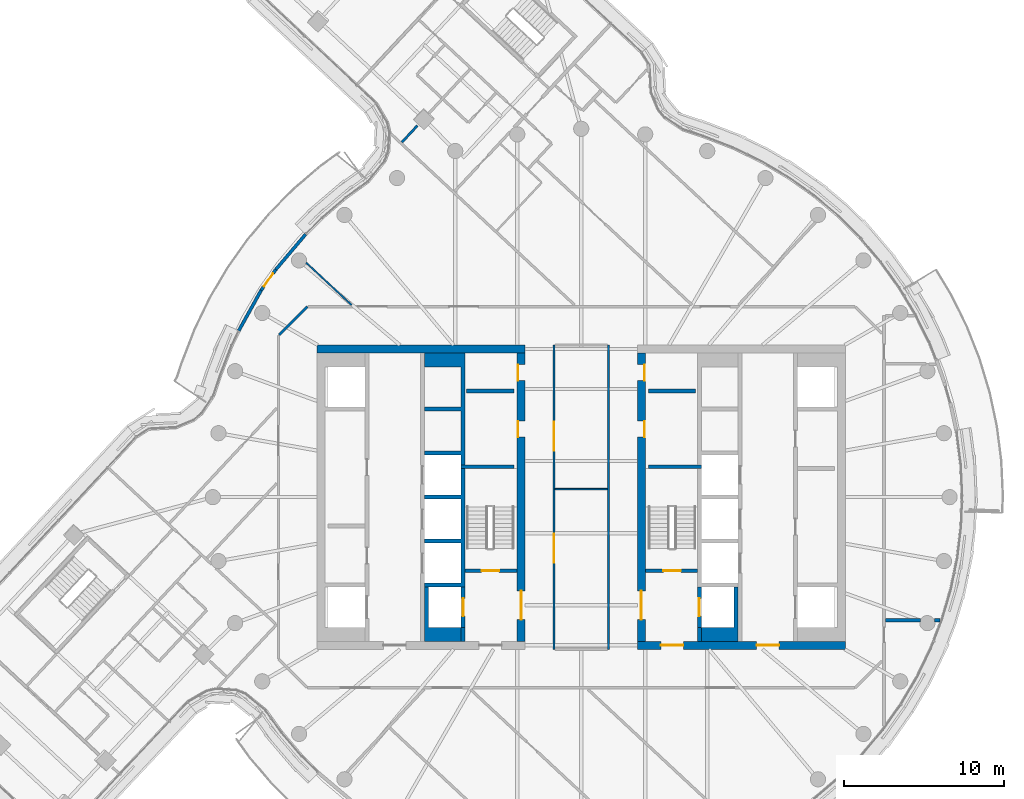
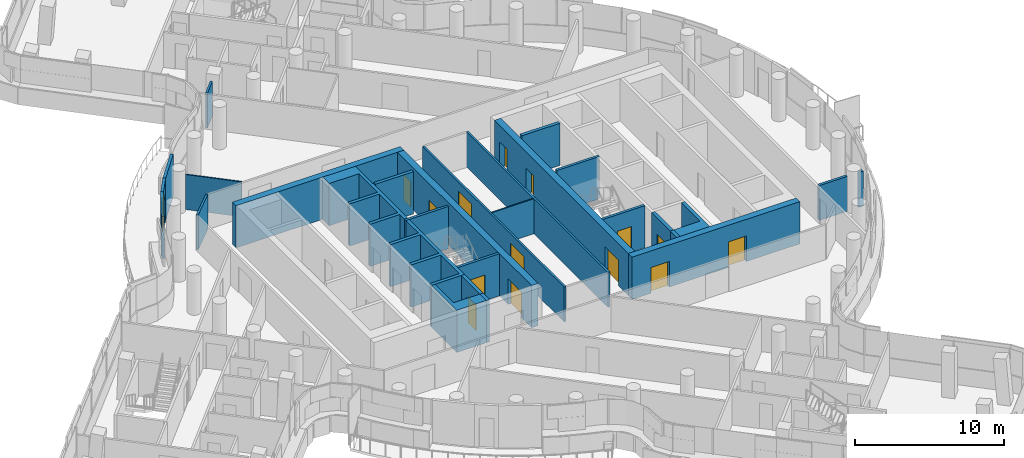
# One storey, part 19 of 30: 28 walls, 15 doors, 15 openings.
"""IFC4 building model written with IfcOpenShell, lengths in metres."""

from ifc_helpers import new_model, si_unit, direction, frame, frame_2d, origin, place, context, subcontext, project, spatial, polyline, rectangle, outline, extrude, material, layer, layer_set, type_object, element, fill, save


model = new_model("IFC4")

# Units and contexts
model_context = context("Model", 3, precision=1e-05, world=origin(), true_north=direction((0.0, 1.0)))
body_context = subcontext(model_context, "Body", "Model", "MODEL_VIEW")
ifc_project = project(units=[si_unit("LENGTHUNIT", "METRE"), si_unit("AREAUNIT", "SQUARE_METRE"), si_unit("VOLUMEUNIT", "CUBIC_METRE"), si_unit("PLANEANGLEUNIT", "RADIAN"), si_unit("MASSUNIT", "GRAM", prefix="KILO")], contexts=[model_context])

# Site, building, storey
site_placement = place(None, origin())
site = spatial("IfcSite", under=ifc_project, at=site_placement, CompositionType="ELEMENT")
building_placement = place(site_placement, origin())
building = spatial("IfcBuilding", under=site, at=building_placement, Name="Tamarind Cross Interchange Tower", CompositionType="ELEMENT")
storey_placement = place(building_placement, frame((0.0, 0.0, 204.10009765625)))
storey = spatial("IfcBuildingStorey", under=building, at=storey_placement, Name="L51", CompositionType="ELEMENT", Elevation=204.10009765625)

# Walls
ifc_material_1 = material(Name="Concrete C40", Category="concrete")
ifc_layer_1 = layer(ifc_material_1, 0.199951171875)
ifc_layer_set_1 = layer_set([ifc_layer_1], Name="Concrete C40")
wall_type_1 = type_object("IfcWallType", Name="Balcony and garden door wall", PredefinedType="SOLIDWALL", material=ifc_layer_set_1)
wall_1_placement = place(storey_placement, frame((-17.20361328125, 16.4169921875, 0.0), z_axis=(0.0, 0.0, 1.0), x_axis=(-0.645983966585, -0.763350977543, 0.0)))
element("IfcWall", 1, at=wall_1_placement, inside=storey, type_object=wall_type_1, Name="EXW-L51-10-D02L", PredefinedType="SOLIDWALL", context=body_context, shape_type="SweptSolid", body=[
    extrude(rectangle(XDim=2.88525390625, YDim=0.199951171875, at=frame_2d((1.442626953125, 0.0))), origin(), (0.0, 0.0, 1.0), 3.4599609375),
])
wall_2_placement = place(storey_placement, frame((-19.98974609375, 12.9072265625, 0.0), z_axis=(0.0, 0.0, 1.0), x_axis=(-0.484673094774, -0.874695370516, 0.0)))
element("IfcWall", 2, at=wall_2_placement, inside=storey, type_object=wall_type_1, Name="EXW-L51-10-D02R", PredefinedType="SOLIDWALL", context=body_context, shape_type="SweptSolid", body=[
    extrude(rectangle(XDim=2.88623046875, YDim=0.199951171875, at=frame_2d((1.443115234375, 0.0))), origin(), (0.0, 0.0, 1.0), 3.4599609375),
])

# Wall, opening, door
wall_3_placement = place(storey_placement, frame((-19.0673828125, 14.214599609375, 0.0), z_axis=(0.0, 0.0, 1.0), x_axis=(-0.57647949336, -0.817111616449, 0.0)))
wall_3 = element("IfcWall", 3, at=wall_3_placement, inside=storey, type_object=wall_type_1, Name="EXW-L51-10-D02", PredefinedType="SOLIDWALL", context=body_context, shape_type="SweptSolid", body=[
    extrude(rectangle(XDim=1.60009765625, YDim=0.199951171875, at=frame_2d((0.800048828125, 0.0))), origin(), (0.0, 0.0, 1.0), 3.4599609375),
])
opening_1_placement = place(wall_3_placement, frame((0.300048828125, 0.0, 0.0)))
opening_1 = element("IfcOpeningElement", 4, at=opening_1_placement, cuts=wall_3, Name="Opening D2", PredefinedType="OPENING", context=body_context, shape_type="SweptSolid", body=[
    extrude(rectangle(XDim=1.0, YDim=2.39990234375, at=frame_2d((0.5, 1.199951171875))), frame((0.0, 0.10986328125, 0.0), z_axis=(0.0, -1.0, 0.0), x_axis=(1.0, 0.0, 0.0)), (0.0, 0.0, 1.0), 0.219970703125),
])
ifc_material_2 = material(Name="Aluminium and toughened glass", Category="aluminium")
door_type_1 = type_object("IfcDoorType", Name="Balcony and garden door", OperationType="SINGLE_SWING_LEFT", PredefinedType="DOOR", material=ifc_material_2)
door_1_placement = place(opening_1_placement, origin())
door_1 = element("IfcDoor", 5, at=door_1_placement, inside=storey, type_object=door_type_1, Name="DOR-L51-10-02", OperationType="SINGLE_SWING_LEFT", OverallHeight=2.39990234375, OverallWidth=1.0, PredefinedType="DOOR", context=body_context, shape_type="SweptSolid", body=[
    extrude(rectangle(XDim=1.0, YDim=2.39990234375, at=frame_2d((0.5, 1.199951171875))), frame((0.0, 0.02490234375, 0.0), z_axis=(0.0, -1.0, 0.0), x_axis=(1.0, 0.0, 0.0)), (0.0, 0.0, 1.0), 0.050048828125),
])
fill(opening_1, door_1)

# Wall
ifc_material_3 = material(Name="Concrete C55", Category="concrete")
ifc_layer_2 = layer(ifc_material_3, 0.5)
ifc_layer_set_2 = layer_set([ifc_layer_2], Name="Concrete C55")
wall_type_2 = type_object("IfcWallType", Name="Core wall 500 mm Concrete C55", PredefinedType="SHEAR", material=ifc_layer_set_2)
wall_4_placement = place(storey_placement, frame((-16.5, 9.25, 0.0), z_axis=(0.0, 0.0, 1.0), x_axis=(1.0, 0.0, 0.0)))
element("IfcWall", 6, at=wall_4_placement, inside=storey, type_object=wall_type_2, Name="Core wall CWL-L51-W-NE", PredefinedType="SHEAR", context=body_context, shape_type="SweptSolid", body=[
    extrude(rectangle(XDim=13.0, YDim=0.5, at=frame_2d((6.5, 0.0))), origin(), (0.0, 0.0, 1.0), 3.4599609375),
])

# Wall, openings, doors
wall_5_placement = place(storey_placement, frame((-3.75, -9.0, 0.0), z_axis=(0.0, 0.0, 1.0), x_axis=(0.0, 1.0, 0.0)))
wall_5 = element("IfcWall", 7, at=wall_5_placement, inside=storey, type_object=wall_type_2, Name="Core wall CWL-L51-W-IN", PredefinedType="SHEAR", context=body_context, shape_type="SweptSolid", body=[
    extrude(rectangle(XDim=18.0, YDim=0.5, at=frame_2d((9.0, 0.0))), origin(), (0.0, 0.0, 1.0), 3.4599609375),
])
opening_2_placement = place(wall_5_placement, frame((1.35009765625, 0.0, 0.0)))
opening_2 = element("IfcOpeningElement", 8, at=opening_2_placement, cuts=wall_5, Name="Opening DCW4", PredefinedType="OPENING", context=body_context, shape_type="SweptSolid", body=[
    extrude(rectangle(XDim=1.800048828125, YDim=2.10009765625, at=frame_2d((0.89990234375, 1.050048828125))), frame((0.0, 0.260009765625, 0.0), z_axis=(0.0, -1.0, 0.0), x_axis=(1.0, 0.0, 0.0)), (0.0, 0.0, 1.0), 0.52001953125),
])
opening_3_placement = place(wall_5_placement, frame((12.74951171875, 0.0, 0.0)))
opening_3 = element("IfcOpeningElement", 9, at=opening_3_placement, cuts=wall_5, Name="Opening DCW5", PredefinedType="OPENING", context=body_context, shape_type="SweptSolid", body=[
    extrude(rectangle(XDim=1.0, YDim=2.10009765625, at=frame_2d((0.5, 1.050048828125))), frame((0.0, 0.260009765625, 0.0), z_axis=(0.0, -1.0, 0.0), x_axis=(1.0, 0.0, 0.0)), (0.0, 0.0, 1.0), 0.52001953125),
])
opening_4_placement = place(wall_5_placement, frame((16.2744140625, 0.0, 0.0)))
opening_4 = element("IfcOpeningElement", 10, at=opening_4_placement, cuts=wall_5, Name="Opening DCW5", PredefinedType="OPENING", context=body_context, shape_type="SweptSolid", body=[
    extrude(rectangle(XDim=1.0, YDim=2.10009765625, at=frame_2d((0.5, 1.050048828125))), frame((0.0, 0.260009765625, 0.0), z_axis=(0.0, -1.0, 0.0), x_axis=(1.0, 0.0, 0.0)), (0.0, 0.0, 1.0), 0.52001953125),
])
ifc_material_4 = material(Name="Steel, fire-resisting", Category="steel")
door_type_2 = type_object("IfcDoorType", Name="Core fire door 1000 x 2100 FD90", OperationType="SINGLE_SWING_LEFT", PredefinedType="DOOR", material=ifc_material_4)
door_2_placement = place(opening_3_placement, origin())
door_2 = element("IfcDoor", 11, at=door_2_placement, inside=storey, type_object=door_type_2, Name="L51 riser room door", OperationType="SINGLE_SWING_LEFT", OverallHeight=2.10009765625, OverallWidth=1.0, PredefinedType="DOOR", context=body_context, shape_type="SweptSolid", body=[
    extrude(rectangle(XDim=1.0, YDim=2.10009765625, at=frame_2d((0.5, 1.050048828125))), frame((0.0, 0.22509765625, 0.0), z_axis=(0.0, -1.0, 0.0), x_axis=(1.0, 0.0, 0.0)), (0.0, 0.0, 1.0), 0.050048828125),
])
fill(opening_3, door_2)
door_3_placement = place(opening_4_placement, origin())
door_3 = element("IfcDoor", 12, at=door_3_placement, inside=storey, type_object=door_type_2, Name="L51 linen press door", OperationType="SINGLE_SWING_LEFT", OverallHeight=2.10009765625, OverallWidth=1.0, PredefinedType="DOOR", context=body_context, shape_type="SweptSolid", body=[
    extrude(rectangle(XDim=1.0, YDim=2.10009765625, at=frame_2d((0.5, 1.050048828125))), frame((0.0, 0.22509765625, 0.0), z_axis=(0.0, -1.0, 0.0), x_axis=(1.0, 0.0, 0.0)), (0.0, 0.0, 1.0), 0.050048828125),
])
fill(opening_4, door_3)
door_type_3 = type_object("IfcDoorType", Name="Core fire door 1800 x 2100 FD90", OperationType="SINGLE_SWING_LEFT", PredefinedType="DOOR", material=ifc_material_4)
door_4_placement = place(opening_2_placement, origin())
door_4 = element("IfcDoor", 13, at=door_4_placement, inside=storey, type_object=door_type_3, Name="L51 firefighting lobby door", OperationType="SINGLE_SWING_LEFT", OverallHeight=2.10009765625, OverallWidth=1.800048828125, PredefinedType="DOOR", context=body_context, shape_type="SweptSolid", body=[
    extrude(rectangle(XDim=1.800048828125, YDim=2.10009765625, at=frame_2d((0.89990234375, 1.050048828125))), frame((0.0, 0.02490234375, 0.0), z_axis=(0.0, -1.0, 0.0), x_axis=(1.0, 0.0, 0.0)), (0.0, 0.0, 1.0), 0.050048828125),
])
fill(opening_2, door_4)

wall_6_placement = place(storey_placement, frame((16.5, -9.25, 0.0), z_axis=(0.0, 0.0, 1.0), x_axis=(-1.0, 0.0, 0.0)))
wall_6 = element("IfcWall", 14, at=wall_6_placement, inside=storey, type_object=wall_type_2, Name="Core wall CWL-L51-E-S", PredefinedType="SHEAR", context=body_context, shape_type="SweptSolid", body=[
    extrude(rectangle(XDim=13.0, YDim=0.5, at=frame_2d((6.5, 0.0))), origin(), (0.0, 0.0, 1.0), 3.4599609375),
])
opening_5_placement = place(wall_6_placement, frame((4.14990234375, 0.0, 0.0)))
opening_5 = element("IfcOpeningElement", 15, at=opening_5_placement, cuts=wall_6, Name="Opening DCE1", PredefinedType="OPENING", context=body_context, shape_type="SweptSolid", body=[
    extrude(rectangle(XDim=1.39990234375, YDim=2.10009765625, at=frame_2d((0.699951171875, 1.050048828125))), frame((0.0, 0.260009765625, 0.0), z_axis=(0.0, -1.0, 0.0), x_axis=(1.0, 0.0, 0.0)), (0.0, 0.0, 1.0), 0.52001953125),
])
opening_6_placement = place(wall_6_placement, frame((10.125, 0.0, 0.0)))
opening_6 = element("IfcOpeningElement", 16, at=opening_6_placement, cuts=wall_6, Name="Opening DCEF", PredefinedType="OPENING", context=body_context, shape_type="SweptSolid", body=[
    extrude(rectangle(XDim=1.39990234375, YDim=2.10009765625, at=frame_2d((0.699951171875, 1.050048828125))), frame((0.0, 0.260009765625, 0.0), z_axis=(0.0, -1.0, 0.0), x_axis=(1.0, 0.0, 0.0)), (0.0, 0.0, 1.0), 0.52001953125),
])
door_type_4 = type_object("IfcDoorType", Name="Core fire door 1400 x 2100 FD90", OperationType="SINGLE_SWING_LEFT", PredefinedType="DOOR", material=ifc_material_4)
door_5_placement = place(opening_5_placement, origin())
door_5 = element("IfcDoor", 17, at=door_5_placement, inside=storey, type_object=door_type_4, Name="L51 lift lobby door", OperationType="SINGLE_SWING_LEFT", OverallHeight=2.10009765625, OverallWidth=1.39990234375, PredefinedType="DOOR", context=body_context, shape_type="SweptSolid", body=[
    extrude(rectangle(XDim=1.39990234375, YDim=2.10009765625, at=frame_2d((0.699951171875, 1.050048828125))), frame((0.0, 0.02490234375, 0.0), z_axis=(0.0, -1.0, 0.0), x_axis=(1.0, 0.0, 0.0)), (0.0, 0.0, 1.0), 0.050048828125),
])
fill(opening_5, door_5)
door_6_placement = place(opening_6_placement, origin())
door_6 = element("IfcDoor", 18, at=door_6_placement, inside=storey, type_object=door_type_4, Name="L51 firefighting lobby end door", OperationType="SINGLE_SWING_LEFT", OverallHeight=2.10009765625, OverallWidth=1.39990234375, PredefinedType="DOOR", context=body_context, shape_type="SweptSolid", body=[
    extrude(rectangle(XDim=1.39990234375, YDim=2.10009765625, at=frame_2d((0.699951171875, 1.050048828125))), frame((0.0, 0.02490234375, 0.0), z_axis=(0.0, -1.0, 0.0), x_axis=(1.0, 0.0, 0.0)), (0.0, 0.0, 1.0), 0.050048828125),
])
fill(opening_6, door_6)

wall_7_placement = place(storey_placement, frame((3.75, -9.0, 0.0), z_axis=(0.0, 0.0, 1.0), x_axis=(0.0, 1.0, 0.0)))
wall_7 = element("IfcWall", 19, at=wall_7_placement, inside=storey, type_object=wall_type_2, Name="Core wall CWL-L51-E-IN", PredefinedType="SHEAR", context=body_context, shape_type="SweptSolid", body=[
    extrude(rectangle(XDim=18.0, YDim=0.5, at=frame_2d((9.0, 0.0))), origin(), (0.0, 0.0, 1.0), 3.4599609375),
])
opening_7_placement = place(wall_7_placement, frame((1.35009765625, 0.0, 0.0)))
opening_7 = element("IfcOpeningElement", 20, at=opening_7_placement, cuts=wall_7, Name="Opening DCE4", PredefinedType="OPENING", context=body_context, shape_type="SweptSolid", body=[
    extrude(rectangle(XDim=1.800048828125, YDim=2.10009765625, at=frame_2d((0.89990234375, 1.050048828125))), frame((0.0, 0.260009765625, 0.0), z_axis=(0.0, -1.0, 0.0), x_axis=(1.0, 0.0, 0.0)), (0.0, 0.0, 1.0), 0.52001953125),
])
opening_8_placement = place(wall_7_placement, frame((12.74951171875, 0.0, 0.0)))
opening_8 = element("IfcOpeningElement", 21, at=opening_8_placement, cuts=wall_7, Name="Opening DCE5", PredefinedType="OPENING", context=body_context, shape_type="SweptSolid", body=[
    extrude(rectangle(XDim=1.0, YDim=2.10009765625, at=frame_2d((0.5, 1.050048828125))), frame((0.0, 0.260009765625, 0.0), z_axis=(0.0, -1.0, 0.0), x_axis=(1.0, 0.0, 0.0)), (0.0, 0.0, 1.0), 0.52001953125),
])
opening_9_placement = place(wall_7_placement, frame((16.2744140625, 0.0, 0.0)))
opening_9 = element("IfcOpeningElement", 22, at=opening_9_placement, cuts=wall_7, Name="Opening DCE5", PredefinedType="OPENING", context=body_context, shape_type="SweptSolid", body=[
    extrude(rectangle(XDim=1.0, YDim=2.10009765625, at=frame_2d((0.5, 1.050048828125))), frame((0.0, 0.260009765625, 0.0), z_axis=(0.0, -1.0, 0.0), x_axis=(1.0, 0.0, 0.0)), (0.0, 0.0, 1.0), 0.52001953125),
])
door_7_placement = place(opening_8_placement, origin())
door_7 = element("IfcDoor", 23, at=door_7_placement, inside=storey, type_object=door_type_2, Name="L51 riser room door", OperationType="SINGLE_SWING_LEFT", OverallHeight=2.10009765625, OverallWidth=1.0, PredefinedType="DOOR", context=body_context, shape_type="SweptSolid", body=[
    extrude(rectangle(XDim=1.0, YDim=2.10009765625, at=frame_2d((0.5, 1.050048828125))), frame((0.0, -0.1748046875, 0.0), z_axis=(0.0, -1.0, 0.0), x_axis=(1.0, 0.0, 0.0)), (0.0, 0.0, 1.0), 0.050048828125),
])
fill(opening_8, door_7)
door_8_placement = place(opening_9_placement, origin())
door_8 = element("IfcDoor", 24, at=door_8_placement, inside=storey, type_object=door_type_2, Name="L51 linen press door", OperationType="SINGLE_SWING_LEFT", OverallHeight=2.10009765625, OverallWidth=1.0, PredefinedType="DOOR", context=body_context, shape_type="SweptSolid", body=[
    extrude(rectangle(XDim=1.0, YDim=2.10009765625, at=frame_2d((0.5, 1.050048828125))), frame((0.0, -0.1748046875, 0.0), z_axis=(0.0, -1.0, 0.0), x_axis=(1.0, 0.0, 0.0)), (0.0, 0.0, 1.0), 0.050048828125),
])
fill(opening_9, door_8)
door_9_placement = place(opening_7_placement, origin())
door_9 = element("IfcDoor", 25, at=door_9_placement, inside=storey, type_object=door_type_3, Name="L51 firefighting lobby door", OperationType="SINGLE_SWING_LEFT", OverallHeight=2.10009765625, OverallWidth=1.800048828125, PredefinedType="DOOR", context=body_context, shape_type="SweptSolid", body=[
    extrude(rectangle(XDim=1.800048828125, YDim=2.10009765625, at=frame_2d((0.89990234375, 1.050048828125))), frame((0.0, 0.02490234375, 0.0), z_axis=(0.0, -1.0, 0.0), x_axis=(1.0, 0.0, 0.0)), (0.0, 0.0, 1.0), 0.050048828125),
])
fill(opening_7, door_9)

# Walls
ifc_layer_3 = layer(ifc_material_3, 0.199951171875)
ifc_layer_set_3 = layer_set([ifc_layer_3], Name="Concrete C55")
wall_type_3 = type_object("IfcWallType", Name="Core web wall 200 mm Concrete C55", PredefinedType="SHEAR", material=ifc_layer_set_3)
for number, where, z_axis, x_axis, name in (
    (26, (-7.5, 1.89990234375, 0.0), (0.0, 0.0, 1.0), (1.0, 0.0, 0.0), "Core wall CWL-L51-W-BD"),
    (27, (7.5, 1.89990234375, 0.0), (0.0, 0.0, 1.0), (-1.0, 0.0, 0.0), "Core wall CWL-L51-E-BD"),
):
    element("IfcWall", number, at=place(storey_placement, frame(where, z_axis=z_axis, x_axis=x_axis)), inside=storey, type_object=wall_type_3, Name=name, PredefinedType="SHEAR", context=body_context, shape_type="SweptSolid", body=[
        extrude(rectangle(XDim=3.300048828125, YDim=0.199951171875, at=frame_2d((1.64990234375, 0.0))), origin(), (0.0, 0.0, 1.0), 3.4599609375),
    ])
ifc_layer_4 = layer(ifc_material_3, 0.25)
ifc_layer_set_4 = layer_set([ifc_layer_4], Name="Concrete C55")
wall_type_4 = type_object("IfcWallType", Name="Core web wall 250 mm Concrete C55", PredefinedType="SHEAR", material=ifc_layer_set_4)
wall_8_placement = place(storey_placement, origin())
element("IfcWall", 28, at=wall_8_placement, inside=storey, type_object=wall_type_4, Name="Core wall CWL-L51-W-BN", PredefinedType="SHEAR", context=body_context, shape_type="SweptSolid", body=[
    extrude(outline(polyline([(-9.800048828125, -5.375), (-9.800048828125, -5.625), (-7.5, -5.625), (-7.25, -5.625), (-7.25, 9.0), (-7.5, 9.0), (-9.800048828125, 9.0), (-9.800048828125, 8.125), (-7.5, 8.125), (-7.5, 5.625), (-9.800048828125, 5.625), (-9.800048828125, 5.375), (-7.5, 5.375), (-7.5, 2.875), (-9.800048828125, 2.875), (-9.800048828125, 2.625), (-7.5, 2.625), (-7.5, 0.125), (-9.800048828125, 0.125), (-9.800048828125, -0.125), (-7.5, -0.125), (-7.5, -2.625), (-9.800048828125, -2.625), (-9.800048828125, -2.875), (-7.5, -2.875), (-7.5, -5.375), (-9.800048828125, -5.375)])), origin(), (0.0, 0.0, 1.0), 3.4599609375),
])
wall_9_placement = place(storey_placement, origin())
element("IfcWall", 29, at=wall_9_placement, inside=storey, type_object=wall_type_4, Name="Core wall CWL-L51-W-BS", PredefinedType="SHEAR", context=body_context, shape_type="SweptSolid", body=[
    extrude(outline(polyline([(-7.5, -8.125), (-9.550048828125, -8.125), (-9.550048828125, -5.625), (-9.800048828125, -5.625), (-9.800048828125, -8.125), (-9.800048828125, -9.0), (-7.5, -9.0), (-7.5, -8.125)])), origin(), (0.0, 0.0, 1.0), 3.4599609375),
])
wall_10_placement = place(storey_placement, frame((-7.375, -9.0, 0.0), z_axis=(0.0, 0.0, 1.0), x_axis=(0.0, 1.0, 0.0)))
element("IfcWall", 30, at=wall_10_placement, inside=storey, type_object=wall_type_4, Name="Core wall CWL-L51-W-BW", PredefinedType="SHEAR", context=body_context, shape_type="SweptSolid", body=[
    extrude(rectangle(XDim=0.875, YDim=0.25, at=frame_2d((0.4375, 0.0))), origin(), (0.0, 0.0, 1.0), 3.4599609375),
])

# Wall, opening, door
wall_11_placement = place(storey_placement, frame((-7.375, -8.125, 0.0), z_axis=(0.0, 0.0, 1.0), x_axis=(0.0, 1.0, 0.0)))
wall_11 = element("IfcWall", 31, at=wall_11_placement, inside=storey, type_object=wall_type_4, Name="Core wall CWL-L51-W-FF", PredefinedType="SHEAR", context=body_context, shape_type="SweptSolid", body=[
    extrude(rectangle(XDim=2.5, YDim=0.25, at=frame_2d((1.25, 0.0))), origin(), (0.0, 0.0, 1.0), 3.4599609375),
])
opening_10_placement = place(wall_11_placement, frame((0.699951171875, 0.0, 0.0)))
opening_10 = element("IfcOpeningElement", 32, at=opening_10_placement, cuts=wall_11, Name="Opening LD7L51", PredefinedType="OPENING", context=body_context, shape_type="SweptSolid", body=[
    extrude(rectangle(XDim=1.10009765625, YDim=2.10009765625, at=frame_2d((0.550048828125, 1.050048828125))), frame((0.0, 0.135009765625, 0.0), z_axis=(0.0, -1.0, 0.0), x_axis=(1.0, 0.0, 0.0)), (0.0, 0.0, 1.0), 0.27001953125),
])
ifc_material_5 = material(Name="Stainless steel panel", Category="steel")
door_type_5 = type_object("IfcDoorType", Name="Lift landing door 1100 x 2100 E 120", OperationType="SLIDING_TO_LEFT", PredefinedType="DOOR", material=ifc_material_5)
door_10_placement = place(opening_10_placement, origin())
door_10 = element("IfcDoor", 33, at=door_10_placement, inside=storey, type_object=door_type_5, Name="L51 landing door LF7", OperationType="SLIDING_TO_LEFT", OverallHeight=2.10009765625, OverallWidth=1.10009765625, PredefinedType="DOOR", context=body_context, shape_type="SweptSolid", body=[
    extrude(rectangle(XDim=1.10009765625, YDim=2.10009765625, at=frame_2d((0.550048828125, 1.050048828125))), frame((0.0, 0.02490234375, 0.0), z_axis=(0.0, -1.0, 0.0), x_axis=(1.0, 0.0, 0.0)), (0.0, 0.0, 1.0), 0.050048828125),
])
fill(opening_10, door_10)

# Walls
wall_12_placement = place(storey_placement, origin())
element("IfcWall", 34, at=wall_12_placement, inside=storey, type_object=wall_type_4, Name="Core wall CWL-L51-E-BS", PredefinedType="SHEAR", context=body_context, shape_type="SweptSolid", body=[
    extrude(outline(polyline([(7.5, -8.125), (7.5, -9.0), (9.800048828125, -9.0), (9.800048828125, -8.125), (9.800048828125, -5.625), (9.550048828125, -5.625), (9.550048828125, -8.125), (7.5, -8.125)])), origin(), (0.0, 0.0, 1.0), 3.4599609375),
])
wall_13_placement = place(storey_placement, frame((7.375, -9.0, 0.0), z_axis=(0.0, 0.0, 1.0), x_axis=(0.0, 1.0, 0.0)))
element("IfcWall", 35, at=wall_13_placement, inside=storey, type_object=wall_type_4, Name="Core wall CWL-L51-E-BW", PredefinedType="SHEAR", context=body_context, shape_type="SweptSolid", body=[
    extrude(rectangle(XDim=0.875, YDim=0.25, at=frame_2d((0.4375, 0.0))), origin(), (0.0, 0.0, 1.0), 3.4599609375),
])

# Wall, opening, door
wall_14_placement = place(storey_placement, frame((7.375, -8.125, 0.0), z_axis=(0.0, 0.0, 1.0), x_axis=(0.0, 1.0, 0.0)))
wall_14 = element("IfcWall", 36, at=wall_14_placement, inside=storey, type_object=wall_type_4, Name="Core wall CWL-L51-E-FF", PredefinedType="SHEAR", context=body_context, shape_type="SweptSolid", body=[
    extrude(rectangle(XDim=2.5, YDim=0.25, at=frame_2d((1.25, 0.0))), origin(), (0.0, 0.0, 1.0), 3.4599609375),
])
opening_11_placement = place(wall_14_placement, frame((0.699951171875, 0.0, 0.0)))
opening_11 = element("IfcOpeningElement", 37, at=opening_11_placement, cuts=wall_14, Name="Opening LD19L51", PredefinedType="OPENING", context=body_context, shape_type="SweptSolid", body=[
    extrude(rectangle(XDim=1.10009765625, YDim=2.10009765625, at=frame_2d((0.550048828125, 1.050048828125))), frame((0.0, 0.135009765625, 0.0), z_axis=(0.0, -1.0, 0.0), x_axis=(1.0, 0.0, 0.0)), (0.0, 0.0, 1.0), 0.27001953125),
])
door_11_placement = place(opening_11_placement, origin())
door_11 = element("IfcDoor", 38, at=door_11_placement, inside=storey, type_object=door_type_5, Name="L51 landing door LF19", OperationType="SLIDING_TO_LEFT", OverallHeight=2.10009765625, OverallWidth=1.10009765625, PredefinedType="DOOR", context=body_context, shape_type="SweptSolid", body=[
    extrude(rectangle(XDim=1.10009765625, YDim=2.10009765625, at=frame_2d((0.550048828125, 1.050048828125))), frame((0.0, 0.02490234375, 0.0), z_axis=(0.0, -1.0, 0.0), x_axis=(1.0, 0.0, 0.0)), (0.0, 0.0, 1.0), 0.050048828125),
])
fill(opening_11, door_11)

# Walls
ifc_material_6 = material(Name="Gypsum board partition on steel studs", Category="steel")
ifc_layer_5 = layer(ifc_material_6, 0.10009765625)
ifc_layer_set_5 = layer_set([ifc_layer_5], Name="Gypsum board partition on steel studs")
wall_type_5 = type_object("IfcWallType", Name="Partition 100 mm EI 120", PredefinedType="PARTITIONING", material=ifc_layer_set_5)
wall_15_placement = place(storey_placement, frame((-17.1728515625, 14.63916015625, 0.0), z_axis=(0.0, 0.0, 1.0), x_axis=(0.731508874243, -0.681831919833, 0.0)))
element("IfcWall", 39, at=wall_15_placement, inside=storey, type_object=wall_type_5, Name="Partition L51-014", PredefinedType="PARTITIONING", context=body_context, shape_type="SweptSolid", body=[
    extrude(rectangle(XDim=3.882568359375, YDim=0.10009765625, at=frame_2d((1.94140625, 0.0))), origin(), (0.0, 0.0, 1.0), 2.864013671875),
])
wall_16_placement = place(storey_placement, frame((-1.639892578125, 0.5, 0.0), z_axis=(0.0, 0.0, 1.0), x_axis=(1.0, 0.0, 0.0)))
element("IfcWall", 40, at=wall_16_placement, inside=storey, type_object=wall_type_5, Name="Partition L51-034", PredefinedType="PARTITIONING", context=body_context, shape_type="SweptSolid", body=[
    extrude(rectangle(XDim=3.27978515625, YDim=0.10009765625, at=frame_2d((1.639892578125, 0.0))), origin(), (0.0, 0.0, 1.0), 2.864013671875),
])
ifc_layer_6 = layer(ifc_material_6, 0.14990234375)
ifc_layer_set_6 = layer_set([ifc_layer_6], Name="Gypsum board partition on steel studs")
wall_type_6 = type_object("IfcWallType", Name="Partition 150 mm EI 120", PredefinedType="PARTITIONING", material=ifc_layer_set_6)
wall_17_placement = place(storey_placement, frame((-18.87158203125, 10.12841796875, 0.0), z_axis=(0.0, 0.0, 1.0), x_axis=(0.707106781187, 0.707106781187, 0.0)))
element("IfcWall", 41, at=wall_17_placement, inside=storey, type_object=wall_type_6, Name="Partition L51-042", PredefinedType="PARTITIONING", context=body_context, shape_type="SweptSolid", body=[
    extrude(rectangle(XDim=2.50537109375, YDim=0.14990234375, at=frame_2d((1.252685546875, 0.0))), origin(), (0.0, 0.0, 1.0), 2.864013671875),
])
wall_18_placement = place(storey_placement, frame((-11.198486328125, 22.157470703125, 0.0), z_axis=(0.0, 0.0, 1.0), x_axis=(0.681641624931, 0.731686199926, 0.0)))
element("IfcWall", 42, at=wall_18_placement, inside=storey, type_object=wall_type_6, Name="Partition L51-054", PredefinedType="PARTITIONING", context=body_context, shape_type="SweptSolid", body=[
    extrude(rectangle(XDim=1.414794921875, YDim=0.14990234375, at=frame_2d((0.70751953125, 0.0))), origin(), (0.0, 0.0, 1.0), 2.864013671875),
])

# Wall, openings, doors
wall_19_placement = place(storey_placement, frame((-1.699951171875, -9.5, 0.0), z_axis=(0.0, 0.0, 1.0), x_axis=(0.0, 1.0, 0.0)))
wall_19 = element("IfcWall", 43, at=wall_19_placement, inside=storey, type_object=wall_type_6, Name="Partition L51-074", PredefinedType="PARTITIONING", context=body_context, shape_type="SweptSolid", body=[
    extrude(rectangle(XDim=19.0, YDim=0.14990234375, at=frame_2d((9.5, 0.0))), origin(), (0.0, 0.0, 1.0), 2.864013671875),
])
opening_12_placement = place(wall_19_placement, frame((5.39990234375, 0.0, 0.0)))
opening_12 = element("IfcOpeningElement", 44, at=opening_12_placement, cuts=wall_19, Name="Opening D41", PredefinedType="OPENING", context=body_context, shape_type="SweptSolid", body=[
    extrude(rectangle(XDim=1.800048828125, YDim=2.10009765625, at=frame_2d((0.89990234375, 1.050048828125))), frame((0.0, 0.0849609375, 0.0), z_axis=(0.0, -1.0, 0.0), x_axis=(1.0, 0.0, 0.0)), (0.0, 0.0, 1.0), 0.169921875),
])
opening_13_placement = place(wall_19_placement, frame((12.39990234375, 0.0, 0.0)))
opening_13 = element("IfcOpeningElement", 45, at=opening_13_placement, cuts=wall_19, Name="Opening D42", PredefinedType="OPENING", context=body_context, shape_type="SweptSolid", body=[
    extrude(rectangle(XDim=1.800048828125, YDim=2.10009765625, at=frame_2d((0.89990234375, 1.050048828125))), frame((0.0, 0.0849609375, 0.0), z_axis=(0.0, -1.0, 0.0), x_axis=(1.0, 0.0, 0.0)), (0.0, 0.0, 1.0), 0.169921875),
])
ifc_material_7 = material(Name="Fire-resisting door set")
door_type_6 = type_object("IfcDoorType", Name="Interior door 1800 x 2100 FD60S", OperationType="DOUBLE_DOOR_SINGLE_SWING", PredefinedType="DOOR", material=ifc_material_7)
door_12_placement = place(opening_12_placement, frame((1.800048828125, 0.0, 0.0), z_axis=(0.0, 0.0, 1.0), x_axis=(-1.0, 0.0, 0.0)))
door_12 = element("IfcDoor", 46, at=door_12_placement, inside=storey, type_object=door_type_6, Name="Door D41", OperationType="DOUBLE_DOOR_SINGLE_SWING", OverallHeight=2.10009765625, OverallWidth=1.800048828125, PredefinedType="DOOR", context=body_context, shape_type="SweptSolid", body=[
    extrude(rectangle(XDim=1.800048828125, YDim=2.10009765625, at=frame_2d((0.89990234375, 1.050048828125))), frame((0.0, 0.02490234375, 0.0), z_axis=(0.0, -1.0, 0.0), x_axis=(1.0, 0.0, 0.0)), (0.0, 0.0, 1.0), 0.050048828125),
])
fill(opening_12, door_12)
door_13_placement = place(opening_13_placement, frame((1.800048828125, 0.0, 0.0), z_axis=(0.0, 0.0, 1.0), x_axis=(-1.0, 0.0, 0.0)))
door_13 = element("IfcDoor", 47, at=door_13_placement, inside=storey, type_object=door_type_6, Name="Door D42", OperationType="DOUBLE_DOOR_SINGLE_SWING", OverallHeight=2.10009765625, OverallWidth=1.800048828125, PredefinedType="DOOR", context=body_context, shape_type="SweptSolid", body=[
    extrude(rectangle(XDim=1.800048828125, YDim=2.10009765625, at=frame_2d((0.89990234375, 1.050048828125))), frame((0.0, 0.02490234375, 0.0), z_axis=(0.0, -1.0, 0.0), x_axis=(1.0, 0.0, 0.0)), (0.0, 0.0, 1.0), 0.050048828125),
])
fill(opening_13, door_13)

# Walls
wall_20_placement = place(storey_placement, frame((1.699951171875, -9.5, 0.0), z_axis=(0.0, 0.0, 1.0), x_axis=(0.0, 1.0, 0.0)))
element("IfcWall", 48, at=wall_20_placement, inside=storey, type_object=wall_type_6, Name="Partition L51-075", PredefinedType="PARTITIONING", context=body_context, shape_type="SweptSolid", body=[
    extrude(rectangle(XDim=19.0, YDim=0.14990234375, at=frame_2d((9.5, 0.0))), origin(), (0.0, 0.0, 1.0), 2.864013671875),
])
ifc_layer_7 = layer(ifc_material_6, 0.199951171875)
ifc_layer_set_7 = layer_set([ifc_layer_7], Name="Gypsum board partition on steel studs")
wall_type_7 = type_object("IfcWallType", Name="Partition 200 mm EI 180", PredefinedType="PARTITIONING", material=ifc_layer_set_7)
wall_21_placement = place(storey_placement, frame((18.985107421875, -7.68603515625, 0.0), z_axis=(0.0, 0.0, 1.0), x_axis=(1.0, 0.0, 0.0)))
element("IfcWall", 49, at=wall_21_placement, inside=storey, type_object=wall_type_7, Name="Partition L51-036", PredefinedType="PARTITIONING", context=body_context, shape_type="SweptSolid", body=[
    extrude(rectangle(XDim=2.191162109375, YDim=0.199951171875, at=frame_2d((1.095703125, 0.0))), origin(), (0.0, 0.0, 1.0), 2.864013671875),
])
wall_22_placement = place(storey_placement, frame((22.049560546875, -7.68603515625, 0.0), z_axis=(0.0, 0.0, 1.0), x_axis=(1.0, 0.0, 0.0)))
element("IfcWall", 50, at=wall_22_placement, inside=storey, type_object=wall_type_7, Name="Partition L51-037", PredefinedType="PARTITIONING", context=body_context, shape_type="SweptSolid", body=[
    extrude(rectangle(XDim=0.360107421875, YDim=0.199951171875, at=frame_2d((0.18017578125, 0.0))), origin(), (0.0, 0.0, 1.0), 2.864013671875),
])
ifc_layer_8 = layer(ifc_material_1, 0.25)
ifc_layer_set_8 = layer_set([ifc_layer_8], Name="Concrete C40")
wall_type_8 = type_object("IfcWallType", Name="Shaft and lobby wall 250 mm Concrete C40", PredefinedType="PARTITIONING", material=ifc_layer_set_8)
for number, where, z_axis, x_axis, name in (
    (51, (-7.14990234375, 6.6240234375, 0.0), (0.0, 0.0, 1.0), (1.0, 0.0, 0.0), "Shaft wall CWL-L51-W-SVP"),
    (52, (7.14990234375, 6.6240234375, 0.0), (0.0, 0.0, 1.0), (-1.0, 0.0, 0.0), "Shaft wall CWL-L51-E-SVP"),
):
    element("IfcWall", number, at=place(storey_placement, frame(where, z_axis=z_axis, x_axis=x_axis)), inside=storey, type_object=wall_type_8, Name=name, PredefinedType="PARTITIONING", context=body_context, shape_type="SweptSolid", body=[
        extrude(rectangle(XDim=2.949951171875, YDim=0.25, at=frame_2d((1.47509765625, 0.0))), origin(), (0.0, 0.0, 1.0), 3.4599609375),
    ])

# Wall, opening, door
ifc_layer_9 = layer(ifc_material_1, 0.199951171875)
ifc_layer_set_9 = layer_set([ifc_layer_9], Name="Concrete C40")
wall_type_9 = type_object("IfcWallType", Name="Stair shaft wall 200 mm Concrete C40", PredefinedType="SHEAR", material=ifc_layer_set_9)
wall_23_placement = place(storey_placement, frame((-7.25, -4.60009765625, 0.0), z_axis=(0.0, 0.0, 1.0), x_axis=(1.0, 0.0, 0.0)))
wall_23 = element("IfcWall", 53, at=wall_23_placement, inside=storey, type_object=wall_type_9, Name="Core wall CWL-L51-W-SD", PredefinedType="SHEAR", context=body_context, shape_type="SweptSolid", body=[
    extrude(rectangle(XDim=3.25, YDim=0.199951171875, at=frame_2d((1.625, 0.0))), origin(), (0.0, 0.0, 1.0), 3.4599609375),
])
opening_14_placement = place(wall_23_placement, frame((1.02490234375, 0.0, 0.0)))
opening_14 = element("IfcOpeningElement", 54, at=opening_14_placement, cuts=wall_23, Name="Opening DCW6", PredefinedType="OPENING", context=body_context, shape_type="SweptSolid", body=[
    extrude(rectangle(XDim=1.10009765625, YDim=2.10009765625, at=frame_2d((0.550048828125, 1.050048828125))), frame((0.0, 0.10986328125, 0.0), z_axis=(0.0, -1.0, 0.0), x_axis=(1.0, 0.0, 0.0)), (0.0, 0.0, 1.0), 0.219970703125),
])
door_type_7 = type_object("IfcDoorType", Name="Core fire door 1100 x 2100 FD90", OperationType="SINGLE_SWING_LEFT", PredefinedType="DOOR", material=ifc_material_4)
door_14_placement = place(opening_14_placement, origin())
door_14 = element("IfcDoor", 55, at=door_14_placement, inside=storey, type_object=door_type_7, Name="L51 stair door", OperationType="SINGLE_SWING_LEFT", OverallHeight=2.10009765625, OverallWidth=1.10009765625, PredefinedType="DOOR", context=body_context, shape_type="SweptSolid", body=[
    extrude(rectangle(XDim=1.10009765625, YDim=2.10009765625, at=frame_2d((0.550048828125, 1.050048828125))), frame((0.0, 0.02490234375, 0.0), z_axis=(0.0, -1.0, 0.0), x_axis=(1.0, 0.0, 0.0)), (0.0, 0.0, 1.0), 0.050048828125),
])
fill(opening_14, door_14)

wall_24_placement = place(storey_placement, frame((7.25, -4.60009765625, 0.0), z_axis=(0.0, 0.0, 1.0), x_axis=(-1.0, 0.0, 0.0)))
wall_24 = element("IfcWall", 56, at=wall_24_placement, inside=storey, type_object=wall_type_9, Name="Core wall CWL-L51-E-SD", PredefinedType="SHEAR", context=body_context, shape_type="SweptSolid", body=[
    extrude(rectangle(XDim=3.25, YDim=0.199951171875, at=frame_2d((1.625, 0.0))), origin(), (0.0, 0.0, 1.0), 3.4599609375),
])
opening_15_placement = place(wall_24_placement, frame((1.02490234375, 0.0, 0.0)))
opening_15 = element("IfcOpeningElement", 57, at=opening_15_placement, cuts=wall_24, Name="Opening DCE6", PredefinedType="OPENING", context=body_context, shape_type="SweptSolid", body=[
    extrude(rectangle(XDim=1.10009765625, YDim=2.10009765625, at=frame_2d((0.550048828125, 1.050048828125))), frame((0.0, 0.10986328125, 0.0), z_axis=(0.0, -1.0, 0.0), x_axis=(1.0, 0.0, 0.0)), (0.0, 0.0, 1.0), 0.219970703125),
])
door_15_placement = place(opening_15_placement, origin())
door_15 = element("IfcDoor", 58, at=door_15_placement, inside=storey, type_object=door_type_7, Name="L51 stair door", OperationType="SINGLE_SWING_LEFT", OverallHeight=2.10009765625, OverallWidth=1.10009765625, PredefinedType="DOOR", context=body_context, shape_type="SweptSolid", body=[
    extrude(rectangle(XDim=1.10009765625, YDim=2.10009765625, at=frame_2d((0.550048828125, 1.050048828125))), frame((0.0, 0.02490234375, 0.0), z_axis=(0.0, -1.0, 0.0), x_axis=(1.0, 0.0, 0.0)), (0.0, 0.0, 1.0), 0.050048828125),
])
fill(opening_15, door_15)

save(model, "model.ifc")
